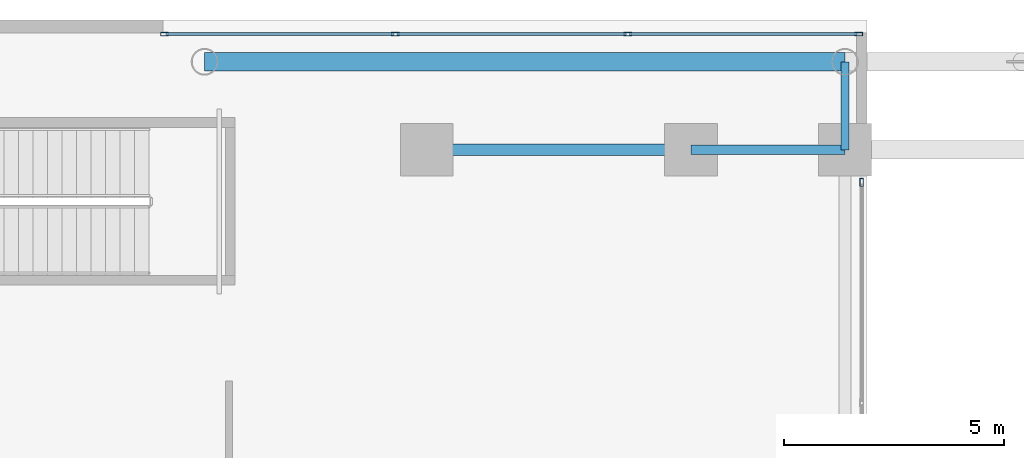
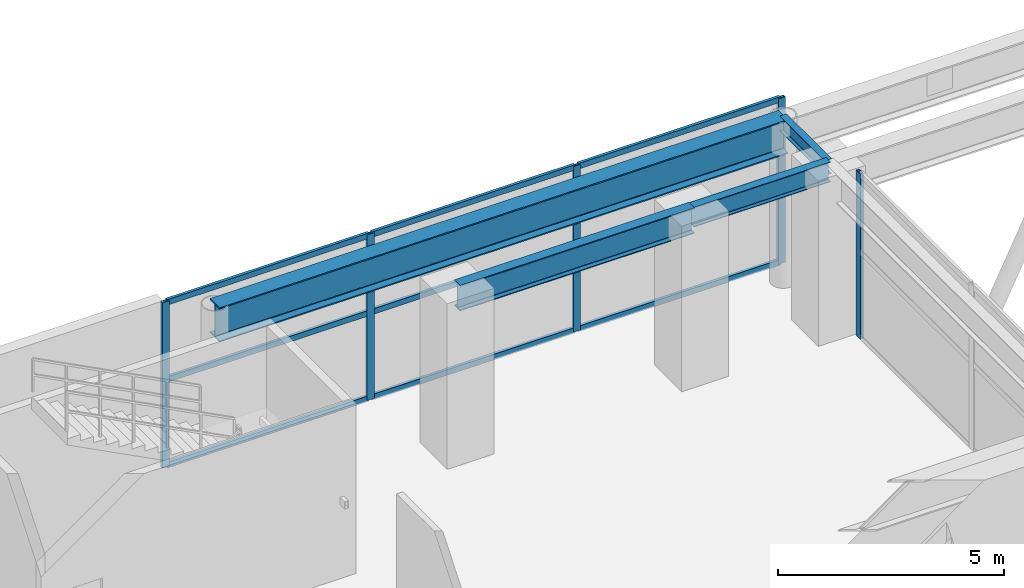
# One storey, part 15 of 30: 14 members, 4 beams, 2 elements without a shape of their own.
"""IFC4 building model written with IfcOpenShell, lengths in metres."""

import ifcopenshell
import ifcopenshell.guid

model = None  # the IFC model being written
_history = None  # IfcOwnerHistory: only IFC2X3 demands one
_inside = {}  # id of a spatial element -> (the spatial element, [elements in it])
_under = {}  # id of a project, library or spatial element -> (it, [spatial elements below it])
_declared = {}  # id of a project -> (the project, [libraries it declares])
_typed = {}  # id of a type object -> (the type object, [elements of that type])
_made_of = {}  # id of a material, layer set ... -> (it, [elements and type objects made of it])


def new_model(schema):
    """Start an empty IFC model of exactly this schema.

    Asked for "IFC4X3", IfcOpenShell would pick the latest addendum, in which some entities
    have other attributes; the version numbers below select the first issue.
    IFC2X3 requires an IfcOwnerHistory on every rooted entity: one is made here for all.
    """
    global model, _history
    if schema == "IFC4X3":
        model = ifcopenshell.file(schema_version=(4, 3, 0, 0))
    else:
        model = ifcopenshell.file(schema=schema)
    _inside.clear()
    _under.clear()
    _declared.clear()
    _typed.clear()
    _made_of.clear()
    _history = None
    if model.schema == "IFC2X3":
        org = make("IfcOrganization", Name="unknown")
        user = make(
            "IfcPersonAndOrganization",
            ThePerson=make("IfcPerson", FamilyName="unknown"),
            TheOrganization=org,
        )
        app = make(
            "IfcApplication",
            ApplicationDeveloper=org,
            Version="unknown",
            ApplicationFullName="unknown",
            ApplicationIdentifier="unknown",
        )
        _history = make(
            "IfcOwnerHistory",
            OwningUser=user,
            OwningApplication=app,
            ChangeAction="ADDED",
            CreationDate=0,
        )
    return model


def make(cls, **values):
    """One entity of the class cls with the attributes given. An attribute that is None is left unset."""
    return model.create_entity(
        cls, **{name: value for name, value in values.items() if value is not None}
    )


def rooted(cls, **values):
    """An entity with a GlobalId (a new one), such as an element, a storey or a relation."""
    return make(cls, GlobalId=ifcopenshell.guid.new(), OwnerHistory=_history, **values)


def si_unit(unit_type, name, prefix=None):
    """IfcSIUnit, for example si_unit("LENGTHUNIT", "METRE", prefix="MILLI")."""
    return make("IfcSIUnit", UnitType=unit_type, Prefix=prefix, Name=name)


def assignment(units):
    """IfcUnitAssignment: the units of a project."""
    return None if units is None else make("IfcUnitAssignment", Units=units)


def point(xyz):
    """IfcCartesianPoint."""
    return None if xyz is None else make("IfcCartesianPoint", Coordinates=xyz)


def direction(xyz):
    """IfcDirection."""
    return None if xyz is None else make("IfcDirection", DirectionRatios=xyz)


def frame(location, z_axis=None, x_axis=None):
    """IfcAxis2Placement3D, a coordinate frame: its origin and axes. An axis left out is left unset."""
    return make(
        "IfcAxis2Placement3D",
        Location=point(location),
        Axis=direction(z_axis),
        RefDirection=direction(x_axis),
    )


def frame_2d(location, x_axis=None):
    """IfcAxis2Placement2D, a coordinate frame in the plane: its origin and x axis."""
    return make(
        "IfcAxis2Placement2D", Location=point(location), RefDirection=direction(x_axis)
    )


def origin():
    """The frame at (0, 0, 0) with its axes left unset."""
    return frame((0.0, 0.0, 0.0))


def origin_2d():
    """The frame at (0, 0) in the plane with its x axis left unset."""
    return frame_2d((0.0, 0.0))


def place(relative_to, where):
    """IfcLocalPlacement: puts the frame where relative to a parent placement (None: the world)."""
    return make(
        "IfcLocalPlacement", PlacementRelTo=relative_to, RelativePlacement=where
    )


def context(
    kind, dimensions, precision=None, world=None, true_north=None, identifier=None
):
    """IfcGeometricRepresentationContext, for example the 3D "Model" context."""
    return make(
        "IfcGeometricRepresentationContext",
        ContextIdentifier=identifier,
        ContextType=kind,
        CoordinateSpaceDimension=dimensions,
        Precision=precision,
        WorldCoordinateSystem=world,
        TrueNorth=true_north,
    )


def subcontext(parent, identifier, kind, view, scale=None):
    """IfcGeometricRepresentationSubContext, for example "Body" below "Model"."""
    return make(
        "IfcGeometricRepresentationSubContext",
        ContextIdentifier=identifier,
        ContextType=kind,
        ParentContext=parent,
        TargetScale=scale,
        TargetView=view,
    )


def project(units=None, contexts=None):
    """IfcProject with its units and contexts."""
    return rooted(
        "IfcProject",
        Name="project",
        RepresentationContexts=contexts,
        UnitsInContext=assignment(units),
    )


def spatial(cls, under=None, at=None, **own):
    """A site, building, storey or space (cls), placed at a placement, below another one or the project."""
    s = rooted(cls, ObjectPlacement=at, **own)
    if under is not None:
        _under.setdefault(under.id(), (under, []))[1].append(s)
    return s


def profile(cls, at=None, kind="AREA", **sizes):
    """A parametric profile (cls). Its sizes go by their IFC names, for example OverallWidth=200.0."""
    return make(cls, ProfileType=kind, Position=at, **sizes)


def hollow_rectangle(**sizes):
    """IfcRectangleHollowProfileDef."""
    return profile("IfcRectangleHollowProfileDef", **sizes)


def i_section(**sizes):
    """IfcIShapeProfileDef."""
    return profile("IfcIShapeProfileDef", **sizes)


def extrude(swept, where, along, depth):
    """IfcExtrudedAreaSolid: the profile swept, set in the frame where, extruded along a direction by depth."""
    return make(
        "IfcExtrudedAreaSolid",
        SweptArea=swept,
        Position=where,
        ExtrudedDirection=direction(along),
        Depth=depth,
    )


def shape(context_of_items, identifier, shape_type, items):
    """IfcShapeRepresentation: the items that make up one representation, for example the "Body"."""
    return make(
        "IfcShapeRepresentation",
        ContextOfItems=context_of_items,
        RepresentationIdentifier=identifier,
        RepresentationType=shape_type,
        Items=items,
    )


def source(mapping_origin, context_of_items, identifier, shape_type, items):
    """IfcRepresentationMap: a shape defined once, which mapped items show again and again."""
    return make(
        "IfcRepresentationMap",
        MappingOrigin=mapping_origin,
        MappedRepresentation=shape(context_of_items, identifier, shape_type, items),
    )


def transform(
    local_origin,
    x_axis=None,
    y_axis=None,
    z_axis=None,
    scale=None,
    scale2=None,
    scale3=None,
    uniform=True,
):
    """IfcCartesianTransformationOperator3D, or its non-uniform kind. x_axis, y_axis, z_axis: its Axis1, 2, 3."""
    if uniform:
        return make(
            "IfcCartesianTransformationOperator3D",
            Axis1=direction(x_axis),
            Axis2=direction(y_axis),
            LocalOrigin=point(local_origin),
            Scale=scale,
            Axis3=direction(z_axis),
        )
    return make(
        "IfcCartesianTransformationOperator3DnonUniform",
        Axis1=direction(x_axis),
        Axis2=direction(y_axis),
        LocalOrigin=point(local_origin),
        Scale=scale,
        Axis3=direction(z_axis),
        Scale2=scale2,
        Scale3=scale3,
    )


def mapped(mapping_source, mapping_target):
    """IfcMappedItem: shows the shape of a source again, moved by a transform."""
    return make(
        "IfcMappedItem", MappingSource=mapping_source, MappingTarget=mapping_target
    )


def material(Name=None, Category=None):
    """IfcMaterial."""
    return make("IfcMaterial", Name=Name, Category=Category)


def layer(
    of_material, thickness, ventilated=None, Name=None, Category=None, Priority=None
):
    """IfcMaterialLayer: one layer of a wall or slab, of a material (None: an air gap)."""
    return make(
        "IfcMaterialLayer",
        Material=of_material,
        LayerThickness=thickness,
        IsVentilated=ventilated,
        Name=Name,
        Category=Category,
        Priority=Priority,
    )


def layer_set(layers, Name=None):
    """IfcMaterialLayerSet."""
    return make("IfcMaterialLayerSet", MaterialLayers=layers, LayerSetName=Name)


def material_profile(
    of_material, cross_section, Name=None, Category=None, Priority=None
):
    """IfcMaterialProfile: a cross section and its material."""
    return make(
        "IfcMaterialProfile",
        Name=Name,
        Material=of_material,
        Profile=cross_section,
        Priority=Priority,
        Category=Category,
    )


def profile_set(profiles, Name=None, composite=None):
    """IfcMaterialProfileSet."""
    return make(
        "IfcMaterialProfileSet",
        Name=Name,
        MaterialProfiles=profiles,
        CompositeProfile=composite,
    )


def made_of(thing, what):
    """Note that an element or type object is made of a material, layer set ...; save() writes the relation."""
    if what is not None:
        _made_of.setdefault(what.id(), (what, []))[1].append(thing)
    return thing


def type_object(cls, material=None, **own):
    """A type object (cls), such as IfcWallType, which elements share."""
    return made_of(rooted(cls, **own), material)


def element(
    cls,
    number,
    at=None,
    inside=None,
    cuts=None,
    type_object=None,
    material=None,
    context=None,
    identifier="Body",
    shape_type=None,
    held_by="IfcProductDefinitionShape",
    body=None,
    shapes=None,
    **own,
):
    """One element of the class cls, such as IfcWall. Its Tag is "e" and its number.

    at: its placement. inside: the storey or other place that contains it. cuts: it is an
    opening in that element (IfcRelVoidsElement). A single representation is given by context,
    identifier, shape_type and body (its items); several are given by shapes. held_by: the class
    of the entity that holds the representations. save() writes the other relations.
    """
    e = rooted(cls, Tag="e%d" % number, ObjectPlacement=at, **own)
    if body is not None:
        shapes = [shape(context, identifier, shape_type, body)]
    if shapes is not None:
        e.Representation = make(held_by, Representations=shapes)
    if inside is not None:
        _inside.setdefault(inside.id(), (inside, []))[1].append(e)
    if cuts is not None:
        rooted(
            "IfcRelVoidsElement", RelatingBuildingElement=cuts, RelatedOpeningElement=e
        )
    if type_object is not None:
        _typed.setdefault(type_object.id(), (type_object, []))[1].append(e)
    return made_of(e, material)


def aggregate(whole, parts):
    """IfcRelAggregates: a whole, such as a stair, and the parts it consists of."""
    return rooted("IfcRelAggregates", RelatingObject=whole, RelatedObjects=parts)


def save(model, path):
    """Write the relations noted so far, then the file.

    IfcRelAggregates (storeys below a building ...), IfcRelContainedInSpatialStructure (elements
    in a storey), IfcRelDefinesByType, IfcRelAssociatesMaterial and IfcRelDeclares: one each for
    every whole, place, type object, material and project.
    """
    for whole, parts in _under.values():
        aggregate(whole, parts)
    for where, things in _inside.values():
        rooted(
            "IfcRelContainedInSpatialStructure",
            RelatedElements=things,
            RelatingStructure=where,
        )
    for kind, things in _typed.values():
        rooted("IfcRelDefinesByType", RelatedObjects=things, RelatingType=kind)
    for what, things in _made_of.values():
        rooted("IfcRelAssociatesMaterial", RelatedObjects=things, RelatingMaterial=what)
    for by, libraries in _declared.values():
        rooted("IfcRelDeclares", RelatingContext=by, RelatedDefinitions=libraries)
    model.write(path)


model = new_model("IFC4")

# Units and contexts
model_context = context("Model", 3, precision=1e-05, world=origin(), true_north=direction((0.0, 1.0)))
body_context = subcontext(model_context, "Body", "Model", "MODEL_VIEW")
ifc_project = project(units=[si_unit("LENGTHUNIT", "METRE"), si_unit("AREAUNIT", "SQUARE_METRE"), si_unit("VOLUMEUNIT", "CUBIC_METRE"), si_unit("PLANEANGLEUNIT", "RADIAN"), si_unit("MASSUNIT", "GRAM", prefix="KILO")], contexts=[model_context])

# Site, building, storey
site_placement = place(None, origin())
site = spatial("IfcSite", under=ifc_project, at=site_placement, CompositionType="ELEMENT")
building_placement = place(site_placement, origin())
building = spatial("IfcBuilding", under=site, at=building_placement, Name="Ocotamira Hotel", CompositionType="ELEMENT")
storey_placement = place(building_placement, frame((0.0, 0.0, 19.199951171875)))
storey = spatial("IfcBuildingStorey", under=building, at=storey_placement, Name="L04", CompositionType="ELEMENT", Elevation=19.199951171875)

# Beams
ifc_material_1 = material(Name="Steel ASTM A992 Grade 50", Category="steel")
ifc_material_profile_1 = material_profile(ifc_material_1, i_section(OverallWidth=0.41796875, OverallDepth=0.927001953125, WebThickness=0.019287109375, FlangeThickness=0.031982421875, FilletRadius=0.02392578125, at=origin_2d()), Name="W36X231")
ifc_profile_set_1 = profile_set([ifc_material_profile_1], Name="Steel ASTM A992 Grade 50")
beam_type_1 = type_object("IfcBeamType", Name="BM-GIRD-W36X231", PredefinedType="BEAM", material=ifc_profile_set_1)
shared_shape_1 = source(origin(), body_context, "Body", "SweptSolid", [
    extrude(i_section(OverallWidth=0.41796875, OverallDepth=0.927001953125, WebThickness=0.019287109375, FlangeThickness=0.031982421875, FilletRadius=0.02392578125, at=origin_2d()), origin(), (0.0, 0.0, 1.0), 14.550048828125),
])
beam_1_placement = place(storey_placement, frame((8.949951171875, 51.050048828125, 4.0166015625), z_axis=(1.0, 0.0, 0.0), x_axis=(0.0, 1.0, 0.0)))
element("IfcBeam", 1, at=beam_1_placement, inside=storey, type_object=beam_type_1, Name="L04 Girder Y51.05 X8.95-23.5", PredefinedType="BEAM", context=body_context, shape_type="MappedRepresentation", body=[
    mapped(shared_shape_1, transform((0.0, 0.0, 0.0), scale=1.0)),
])
ifc_material_profile_2 = material_profile(ifc_material_1, i_section(OverallWidth=0.256103515625, OverallDepth=0.693115234375, WebThickness=0.014404296875, FlangeThickness=0.023681640625, FilletRadius=0.01611328125, at=origin_2d()), Name="W27X114")
ifc_profile_set_2 = profile_set([ifc_material_profile_2], Name="Steel ASTM A992 Grade 50")
beam_type_2 = type_object("IfcBeamType", Name="BM-PRIM-W27X114", PredefinedType="BEAM", material=ifc_profile_set_2)
shared_shape_2 = source(origin(), body_context, "Body", "SweptSolid", [
    extrude(i_section(OverallWidth=0.256103515625, OverallDepth=0.693115234375, WebThickness=0.014404296875, FlangeThickness=0.023681640625, FilletRadius=0.01611328125, at=origin_2d()), origin(), (0.0, 0.0, 1.0), 6.0),
])
beam_2_placement = place(storey_placement, frame((14.0, 49.050048828125, 4.133544921875), z_axis=(1.0, 0.0, 0.0), x_axis=(0.0, 1.0, 0.0)))
element("IfcBeam", 2, at=beam_2_placement, inside=storey, type_object=beam_type_2, Name="L04 Girder Y49.05 X14-20", PredefinedType="BEAM", context=body_context, shape_type="MappedRepresentation", body=[
    mapped(shared_shape_2, transform((0.0, 0.0, 0.0), scale=1.0)),
])
ifc_material_profile_3 = material_profile(ifc_material_1, i_section(OverallWidth=0.2099609375, OverallDepth=0.537109375, WebThickness=0.010986328125, FlangeThickness=0.017333984375, FilletRadius=0.012939453125, at=origin_2d()), Name="W21X68")
ifc_profile_set_3 = profile_set([ifc_material_profile_3], Name="Steel ASTM A992 Grade 50")
beam_type_3 = type_object("IfcBeamType", Name="BM-SEC-W21X68", PredefinedType="JOIST", material=ifc_profile_set_3)
shared_shape_3 = source(origin(), body_context, "Body", "SweptSolid", [
    extrude(i_section(OverallWidth=0.2099609375, OverallDepth=0.537109375, WebThickness=0.010986328125, FlangeThickness=0.017333984375, FilletRadius=0.012939453125, at=origin_2d()), origin(), (0.0, 0.0, 1.0), 3.5),
])
beam_3_placement = place(storey_placement, frame((20.0, 49.050048828125, 4.211669921875), z_axis=(1.0, 0.0, 0.0), x_axis=(0.0, 1.0, 0.0)))
element("IfcBeam", 3, at=beam_3_placement, inside=storey, type_object=beam_type_3, Name="L04 Girder Y49.05 X20-23.5", PredefinedType="JOIST", context=body_context, shape_type="MappedRepresentation", body=[
    mapped(shared_shape_3, transform((0.0, 0.0, 0.0), scale=1.0)),
])
ifc_material_profile_4 = material_profile(ifc_material_1, i_section(OverallWidth=0.177978515625, OverallDepth=0.403076171875, WebThickness=0.007568359375, FlangeThickness=0.010986328125, FilletRadius=0.010009765625, at=origin_2d()), Name="W16X36")
ifc_profile_set_4 = profile_set([ifc_material_profile_4], Name="Steel ASTM A992 Grade 50")
beam_type_4 = type_object("IfcBeamType", Name="BM-SEC-W16X36", PredefinedType="JOIST", material=ifc_profile_set_4)
shared_shape_4 = source(origin(), body_context, "Body", "SweptSolid", [
    extrude(i_section(OverallWidth=0.177978515625, OverallDepth=0.403076171875, WebThickness=0.007568359375, FlangeThickness=0.010986328125, FilletRadius=0.010009765625, at=origin_2d()), origin(), (0.0, 0.0, 1.0), 2.0),
])
beam_4_placement = place(storey_placement, frame((23.5, 49.050048828125, 4.278564453125), z_axis=(0.0, 1.0, 0.0), x_axis=(-1.0, 0.0, 0.0)))
element("IfcBeam", 4, at=beam_4_placement, inside=storey, type_object=beam_type_4, Name="L04 Beam X23.5 Y49.05-51.05", PredefinedType="JOIST", context=body_context, shape_type="MappedRepresentation", body=[
    mapped(shared_shape_4, transform((0.0, 0.0, 0.0), scale=1.0)),
])

# Curtain wall, members
ifc_material_2 = material(Name="Anodised pale-metal aluminium and solar glass", Category="aluminium")
ifc_layer = layer(ifc_material_2, 0.219970703125)
ifc_layer_set = layer_set([ifc_layer], Name="Anodised pale-metal aluminium and solar glass")
curtain_wall_type = type_object("IfcCurtainWallType", Name="CW-SYS1-POD", PredefinedType="NOTDEFINED", material=ifc_layer_set)
curtain_wall_1_placement = place(storey_placement, origin())
curtain_wall_1 = element("IfcCurtainWall", 5, at=curtain_wall_1_placement, inside=storey, type_object=curtain_wall_type, Name="L04 Curtain Wall CW-1 CW-L04-NW", PredefinedType="NOTDEFINED")
ifc_material_3 = material(Name="Anodised pale-metal aluminium 6063-T6", Category="aluminium")
ifc_material_profile_5 = material_profile(ifc_material_3, hollow_rectangle(XDim=0.074951171875, YDim=0.14990234375, WallThickness=0.006103515625, at=origin_2d()), Name="HSS150X75X6")
ifc_profile_set_5 = profile_set([ifc_material_profile_5], Name="Anodised pale-metal aluminium 6063-T6")
member_type_1 = type_object("IfcMemberType", Name="CWT-150X75", PredefinedType="USERDEFINED", material=ifc_profile_set_5)
shared_shape_5 = source(origin(), body_context, "Body", "SweptSolid", [
    extrude(hollow_rectangle(XDim=0.074951171875, YDim=0.14990234375, WallThickness=0.006103515625, at=origin_2d()), origin(), (0.0, 0.0, 1.0), 5.163330078125),
])
member_1_placement = place(storey_placement, frame((8.080078125, 51.679931640625, 0.03759765625), z_axis=(1.0, 0.0, 0.0), x_axis=(0.0, 1.0, 0.0)))
member_1 = element("IfcMember", 6, at=member_1_placement, type_object=member_type_1, Name="CW-1 transom 1.1", ObjectType="TRANSOM", PredefinedType="USERDEFINED", context=body_context, shape_type="MappedRepresentation", body=[
    mapped(shared_shape_5, transform((0.0, 0.0, 0.0), scale=1.0)),
])
member_2_placement = place(storey_placement, frame((8.080078125, 51.679931640625, 2.35009765625), z_axis=(1.0, 0.0, 0.0), x_axis=(0.0, 1.0, 0.0)))
member_2 = element("IfcMember", 7, at=member_2_placement, type_object=member_type_1, Name="CW-1 transom 1.2", ObjectType="TRANSOM", PredefinedType="USERDEFINED", context=body_context, shape_type="MappedRepresentation", body=[
    mapped(shared_shape_5, transform((0.0, 0.0, 0.0), scale=1.0)),
])
member_3_placement = place(storey_placement, frame((8.080078125, 51.679931640625, 4.442626953125), z_axis=(1.0, 0.0, 0.0), x_axis=(0.0, 1.0, 0.0)))
member_3 = element("IfcMember", 8, at=member_3_placement, type_object=member_type_1, Name="CW-1 transom 1.3", ObjectType="TRANSOM", PredefinedType="USERDEFINED", context=body_context, shape_type="MappedRepresentation", body=[
    mapped(shared_shape_5, transform((0.0, 0.0, 0.0), scale=1.0)),
])
member_4_placement = place(storey_placement, frame((18.606689453125, 51.679931640625, 0.03759765625), z_axis=(1.0, 0.0, 0.0), x_axis=(0.0, 1.0, 0.0)))
member_4 = element("IfcMember", 9, at=member_4_placement, type_object=member_type_1, Name="CW-1 transom 3.1", ObjectType="TRANSOM", PredefinedType="USERDEFINED", context=body_context, shape_type="MappedRepresentation", body=[
    mapped(shared_shape_5, transform((0.0, 0.0, 0.0), scale=1.0)),
])
member_5_placement = place(storey_placement, frame((18.606689453125, 51.679931640625, 2.35009765625), z_axis=(1.0, 0.0, 0.0), x_axis=(0.0, 1.0, 0.0)))
member_5 = element("IfcMember", 10, at=member_5_placement, type_object=member_type_1, Name="CW-1 transom 3.2", ObjectType="TRANSOM", PredefinedType="USERDEFINED", context=body_context, shape_type="MappedRepresentation", body=[
    mapped(shared_shape_5, transform((0.0, 0.0, 0.0), scale=1.0)),
])
member_6_placement = place(storey_placement, frame((18.606689453125, 51.679931640625, 4.442626953125), z_axis=(1.0, 0.0, 0.0), x_axis=(0.0, 1.0, 0.0)))
member_6 = element("IfcMember", 11, at=member_6_placement, type_object=member_type_1, Name="CW-1 transom 3.3", ObjectType="TRANSOM", PredefinedType="USERDEFINED", context=body_context, shape_type="MappedRepresentation", body=[
    mapped(shared_shape_5, transform((0.0, 0.0, 0.0), scale=1.0)),
])
shared_shape_6 = source(origin(), body_context, "Body", "SweptSolid", [
    extrude(hollow_rectangle(XDim=0.074951171875, YDim=0.14990234375, WallThickness=0.006103515625, at=origin_2d()), origin(), (0.0, 0.0, 1.0), 5.203369140625),
])
member_7_placement = place(storey_placement, frame((13.3232421875, 51.679931640625, 0.03759765625), z_axis=(1.0, 0.0, 0.0), x_axis=(0.0, 1.0, 0.0)))
member_7 = element("IfcMember", 12, at=member_7_placement, type_object=member_type_1, Name="CW-1 transom 2.1", ObjectType="TRANSOM", PredefinedType="USERDEFINED", context=body_context, shape_type="MappedRepresentation", body=[
    mapped(shared_shape_6, transform((0.0, 0.0, 0.0), scale=1.0)),
])
member_8_placement = place(storey_placement, frame((13.3232421875, 51.679931640625, 2.35009765625), z_axis=(1.0, 0.0, 0.0), x_axis=(0.0, 1.0, 0.0)))
member_8 = element("IfcMember", 13, at=member_8_placement, type_object=member_type_1, Name="CW-1 transom 2.2", ObjectType="TRANSOM", PredefinedType="USERDEFINED", context=body_context, shape_type="MappedRepresentation", body=[
    mapped(shared_shape_6, transform((0.0, 0.0, 0.0), scale=1.0)),
])
member_9_placement = place(storey_placement, frame((13.3232421875, 51.679931640625, 4.442626953125), z_axis=(1.0, 0.0, 0.0), x_axis=(0.0, 1.0, 0.0)))
member_9 = element("IfcMember", 14, at=member_9_placement, type_object=member_type_1, Name="CW-1 transom 2.3", ObjectType="TRANSOM", PredefinedType="USERDEFINED", context=body_context, shape_type="MappedRepresentation", body=[
    mapped(shared_shape_6, transform((0.0, 0.0, 0.0), scale=1.0)),
])
ifc_material_profile_6 = material_profile(ifc_material_3, hollow_rectangle(XDim=0.080078125, YDim=0.179931640625, WallThickness=0.006103515625, at=origin_2d()), Name="HSS180X80X6")
ifc_profile_set_6 = profile_set([ifc_material_profile_6], Name="Anodised pale-metal aluminium 6063-T6")
member_type_2 = type_object("IfcMemberType", Name="CWM-180X75", PredefinedType="MULLION", material=ifc_profile_set_6)
shared_shape_7 = source(origin(), body_context, "Body", "SweptSolid", [
    extrude(hollow_rectangle(XDim=0.080078125, YDim=0.179931640625, WallThickness=0.006103515625, at=origin_2d()), origin(), (0.0, 0.0, 1.0), 4.47998046875),
])
member_10_placement = place(storey_placement, frame((8.0400390625, 51.679931640625, 0.0), z_axis=(0.0, 0.0, 1.0), x_axis=(0.0, 1.0, 0.0)))
member_10 = element("IfcMember", 15, at=member_10_placement, type_object=member_type_2, Name="CW-1 mullion 1", PredefinedType="MULLION", context=body_context, shape_type="MappedRepresentation", body=[
    mapped(shared_shape_7, transform((0.0, 0.0, 0.0), scale=1.0)),
])
member_11_placement = place(storey_placement, frame((13.283447265625, 51.679931640625, 0.0), z_axis=(0.0, 0.0, 1.0), x_axis=(0.0, 1.0, 0.0)))
member_11 = element("IfcMember", 16, at=member_11_placement, type_object=member_type_2, Name="CW-1 mullion 2", PredefinedType="MULLION", context=body_context, shape_type="MappedRepresentation", body=[
    mapped(shared_shape_7, transform((0.0, 0.0, 0.0), scale=1.0)),
])
member_12_placement = place(storey_placement, frame((18.566650390625, 51.679931640625, 0.0), z_axis=(0.0, 0.0, 1.0), x_axis=(0.0, 1.0, 0.0)))
member_12 = element("IfcMember", 17, at=member_12_placement, type_object=member_type_2, Name="CW-1 mullion 3", PredefinedType="MULLION", context=body_context, shape_type="MappedRepresentation", body=[
    mapped(shared_shape_7, transform((0.0, 0.0, 0.0), scale=1.0)),
])
member_13_placement = place(storey_placement, frame((23.81005859375, 51.679931640625, 0.0), z_axis=(0.0, 0.0, 1.0), x_axis=(0.0, 1.0, 0.0)))
member_13 = element("IfcMember", 18, at=member_13_placement, type_object=member_type_2, Name="CW-1 mullion 4", PredefinedType="MULLION", context=body_context, shape_type="MappedRepresentation", body=[
    mapped(shared_shape_7, transform((0.0, 0.0, 0.0), scale=1.0)),
])
aggregate(curtain_wall_1, [member_10, member_11, member_12, member_13, member_1, member_2, member_3, member_7, member_8, member_9, member_4, member_5, member_6])

# Curtain wall, member
curtain_wall_2_placement = place(storey_placement, origin())
curtain_wall_2 = element("IfcCurtainWall", 19, at=curtain_wall_2_placement, inside=storey, type_object=curtain_wall_type, Name="L04 Curtain Wall CW-1 CW-L04-AW-N", PredefinedType="NOTDEFINED")
member_14_placement = place(storey_placement, frame((23.8798828125, 48.31005859375, 0.0), z_axis=(0.0, 0.0, 1.0), x_axis=(-1.0, 0.0, 0.0)))
member_14 = element("IfcMember", 20, at=member_14_placement, type_object=member_type_2, Name="CW-1 mullion 3", PredefinedType="MULLION", context=body_context, shape_type="MappedRepresentation", body=[
    mapped(shared_shape_7, transform((0.0, 0.0, 0.0), scale=1.0)),
])
aggregate(curtain_wall_2, [member_14])

save(model, "model.ifc")
